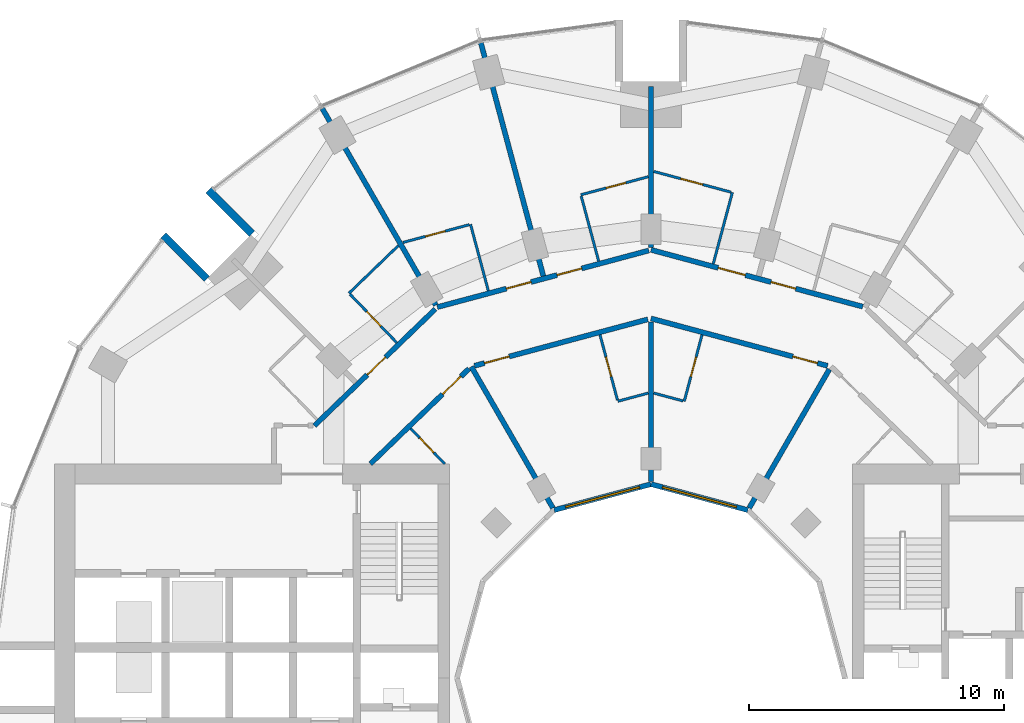
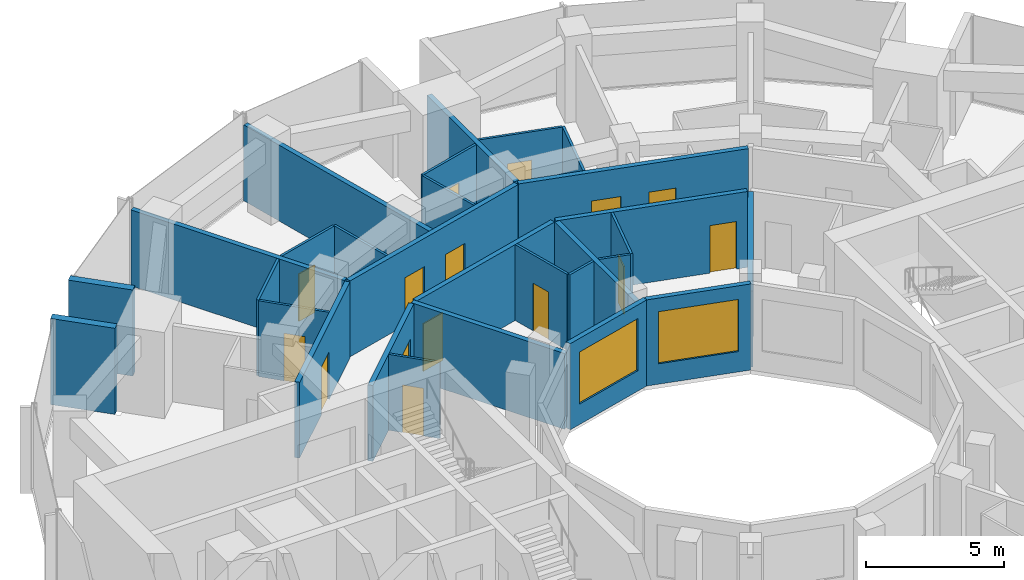
# One storey, part 12 of 15: 29 walls, 15 doors, 2 windows, 17 openings.
"""IFC4 building model written with IfcOpenShell, lengths in metres."""

from ifc_helpers import new_model, si_unit, direction, frame, frame_2d, origin, place, context, subcontext, project, spatial, rectangle, extrude, material, layer, layer_set, type_object, element, fill, save


model = new_model("IFC4")

# Units and contexts
model_context = context("Model", 3, precision=1e-05, world=origin(), true_north=direction((0.0, 1.0)))
body_context = subcontext(model_context, "Body", "Model", "MODEL_VIEW")
ifc_project = project(units=[si_unit("LENGTHUNIT", "METRE"), si_unit("AREAUNIT", "SQUARE_METRE"), si_unit("VOLUMEUNIT", "CUBIC_METRE"), si_unit("PLANEANGLEUNIT", "RADIAN"), si_unit("MASSUNIT", "GRAM", prefix="KILO")], contexts=[model_context])

# Site, building, storey
site_placement = place(None, origin())
site = spatial("IfcSite", under=ifc_project, at=site_placement, CompositionType="ELEMENT")
building_placement = place(site_placement, origin())
building = spatial("IfcBuilding", under=site, at=building_placement, Name="Torre Brocal", CompositionType="ELEMENT")
storey_placement = place(building_placement, frame((0.0, 0.0, 32.60009765625)))
storey = spatial("IfcBuildingStorey", under=building, at=storey_placement, Name="L06", CompositionType="ELEMENT", Elevation=32.60009765625)

# Walls
ifc_material_1 = material(Name="Concrete C80", Category="concrete")
ifc_layer_1 = layer(ifc_material_1, 0.300048828125)
ifc_layer_set_1 = layer_set([ifc_layer_1], Name="Concrete C80")
wall_type_1 = type_object("IfcWallType", Name="NOTCH RETURN WALL 300 C80", PredefinedType="NOTDEFINED", material=ifc_layer_set_1)
for number, where, z_axis, x_axis, name in (
    (1, (64.337646484375, 92.43017578125, 0.0), (0.0, 0.0, 1.0), (-0.707106781187, 0.707106781187, 0.0), "NOTCH RETURN WALL"),
    (2, (62.56982421875, 90.662353515625, 0.0), (0.0, 0.0, 1.0), (-0.707106781187, 0.707106781187, 0.0), "NOTCH RETURN WALL"),
):
    element("IfcWall", number, at=place(storey_placement, frame(where, z_axis=z_axis, x_axis=x_axis)), inside=storey, type_object=wall_type_1, Name=name, PredefinedType="NOTDEFINED", context=body_context, shape_type="SweptSolid", body=[
        extrude(rectangle(XDim=2.415771484375, YDim=0.300048828125, at=frame_2d((1.2080078125, 0.0))), origin(), (0.0, 0.0, 1.0), 3.7998046875),
    ])

# Wall, opening, door
ifc_material_2 = material(Name="Gypsum board", Category="Gypsum")
ifc_layer_2 = layer(ifc_material_2, 0.10009765625)
ifc_layer_set_2 = layer_set([ifc_layer_2], Name="Gypsum board")
wall_type_2 = type_object("IfcWallType", Name="PARTITION 100", PredefinedType="PARTITIONING", material=ifc_layer_set_2)
wall_1_placement = place(storey_placement, frame((68.184814453125, 90.06005859375, 0.0), z_axis=(0.0, 0.0, 1.0), x_axis=(0.69446127412, -0.719530081892, 0.0)))
wall_1 = element("IfcWall", 3, at=wall_1_placement, inside=storey, type_object=wall_type_2, Name="BATHROOM WALL", PredefinedType="PARTITIONING", context=body_context, shape_type="SweptSolid", body=[
    extrude(rectangle(XDim=2.64892578125, YDim=0.10009765625, at=frame_2d((1.324462890625, 0.0))), origin(), (0.0, 0.0, 1.0), 3.349853515625),
])
opening_1_placement = place(wall_1_placement, frame((0.94970703125, 0.0, 0.0)))
opening_1 = element("IfcOpeningElement", 4, at=opening_1_placement, cuts=wall_1, Name="Opening H01-D15", PredefinedType="OPENING", context=body_context, shape_type="SweptSolid", body=[
    extrude(rectangle(XDim=0.800048828125, YDim=2.10009765625, at=frame_2d((0.39990234375, 1.050048828125))), frame((0.0, 0.06005859375, 0.0), z_axis=(0.0, -1.0, 0.0), x_axis=(1.0, 0.0, 0.0)), (0.0, 0.0, 1.0), 0.1201171875),
])
ifc_material_3 = material(Name="Timber", Category="wood")
door_type_1 = type_object("IfcDoorType", Name="BATHROOM DOOR 800X2100", OperationType="SINGLE_SWING_LEFT", PredefinedType="DOOR", material=ifc_material_3)
door_1_placement = place(opening_1_placement, origin())
door_1 = element("IfcDoor", 5, at=door_1_placement, inside=storey, type_object=door_type_1, Name="H01-D15", OperationType="SINGLE_SWING_RIGHT", OverallHeight=2.10009765625, OverallWidth=0.800048828125, PredefinedType="DOOR", context=body_context, shape_type="SweptSolid", body=[
    extrude(rectangle(XDim=0.800048828125, YDim=2.10009765625, at=frame_2d((0.39990234375, 1.050048828125))), frame((0.0, 0.02490234375, 0.0), z_axis=(0.0, -1.0, 0.0), x_axis=(1.0, 0.0, 0.0)), (0.0, 0.0, 1.0), 0.050048828125),
])
fill(opening_1, door_1)

# Wall
wall_2_placement = place(storey_placement, frame((68.14990234375, 90.09619140625, 0.0), z_axis=(0.0, 0.0, 1.0), x_axis=(0.719669144226, 0.694317163009, 0.0)))
element("IfcWall", 6, at=wall_2_placement, inside=storey, type_object=wall_type_2, Name="BATHROOM WALL", PredefinedType="PARTITIONING", context=body_context, shape_type="SweptSolid", body=[
    extrude(rectangle(XDim=2.686767578125, YDim=0.10009765625, at=frame_2d((1.34326171875, 0.0))), origin(), (0.0, 0.0, 1.0), 3.349853515625),
])

# Wall, opening, door
wall_3_placement = place(storey_placement, frame((70.26806640625, 92.087158203125, 0.0), z_axis=(0.0, 0.0, 1.0), x_axis=(0.965931867509, 0.258796497911, 0.0)))
wall_3 = element("IfcWall", 7, at=wall_3_placement, inside=storey, type_object=wall_type_2, Name="BATHROOM WALL", PredefinedType="PARTITIONING", context=body_context, shape_type="SweptSolid", body=[
    extrude(rectangle(XDim=2.693359375, YDim=0.10009765625, at=frame_2d((1.3466796875, 0.0))), origin(), (0.0, 0.0, 1.0), 3.349853515625),
])
opening_2_placement = place(wall_3_placement, frame((0.91162109375, 0.0, 0.0)))
opening_2 = element("IfcOpeningElement", 8, at=opening_2_placement, cuts=wall_3, Name="Opening H01-D13", PredefinedType="OPENING", context=body_context, shape_type="SweptSolid", body=[
    extrude(rectangle(XDim=0.800048828125, YDim=2.10009765625, at=frame_2d((0.39990234375, 1.050048828125))), frame((0.0, 0.06005859375, 0.0), z_axis=(0.0, -1.0, 0.0), x_axis=(1.0, 0.0, 0.0)), (0.0, 0.0, 1.0), 0.1201171875),
])
door_2_placement = place(opening_2_placement, frame((0.800048828125, 0.0, 0.0), z_axis=(0.0, 0.0, 1.0), x_axis=(-1.0, 0.0, 0.0)))
door_2 = element("IfcDoor", 9, at=door_2_placement, inside=storey, type_object=door_type_1, Name="H01-D13", OperationType="SINGLE_SWING_RIGHT", OverallHeight=2.10009765625, OverallWidth=0.800048828125, PredefinedType="DOOR", context=body_context, shape_type="SweptSolid", body=[
    extrude(rectangle(XDim=0.800048828125, YDim=2.10009765625, at=frame_2d((0.39990234375, 1.050048828125))), frame((0.0, 0.02490234375, 0.0), z_axis=(0.0, -1.0, 0.0), x_axis=(1.0, 0.0, 0.0)), (0.0, 0.0, 1.0), 0.050048828125),
])
fill(opening_2, door_2)

wall_4_placement = place(storey_placement, frame((70.5673828125, 84.785888671875, 0.0), z_axis=(0.0, 0.0, 1.0), x_axis=(0.694447472534, -0.719543402368, 0.0)))
wall_4 = element("IfcWall", 10, at=wall_4_placement, inside=storey, type_object=wall_type_2, Name="BATHROOM WALL", PredefinedType="PARTITIONING", context=body_context, shape_type="SweptSolid", body=[
    extrude(rectangle(XDim=1.92626953125, YDim=0.10009765625, at=frame_2d((0.963134765625, 0.0))), origin(), (0.0, 0.0, 1.0), 3.349853515625),
])
opening_3_placement = place(wall_4_placement, frame((0.51318359375, 0.0, 0.0)))
opening_3 = element("IfcOpeningElement", 11, at=opening_3_placement, cuts=wall_4, Name="Opening H01-D25", PredefinedType="OPENING", context=body_context, shape_type="SweptSolid", body=[
    extrude(rectangle(XDim=0.800048828125, YDim=2.10009765625, at=frame_2d((0.39990234375, 1.050048828125))), frame((0.0, 0.06005859375, 0.0), z_axis=(0.0, -1.0, 0.0), x_axis=(1.0, 0.0, 0.0)), (0.0, 0.0, 1.0), 0.1201171875),
])
door_3_placement = place(opening_3_placement, frame((0.800048828125, 0.0, 0.0), z_axis=(0.0, 0.0, 1.0), x_axis=(-1.0, 0.0, 0.0)))
door_3 = element("IfcDoor", 12, at=door_3_placement, inside=storey, type_object=door_type_1, Name="H01-D25", OperationType="SINGLE_SWING_RIGHT", OverallHeight=2.10009765625, OverallWidth=0.800048828125, PredefinedType="DOOR", context=body_context, shape_type="SweptSolid", body=[
    extrude(rectangle(XDim=0.800048828125, YDim=2.10009765625, at=frame_2d((0.39990234375, 1.050048828125))), frame((0.0, 0.02490234375, 0.0), z_axis=(0.0, -1.0, 0.0), x_axis=(1.0, 0.0, 0.0)), (0.0, 0.0, 1.0), 0.050048828125),
])
fill(opening_3, door_3)

# Walls
wall_5_placement = place(storey_placement, frame((72.91796875, 92.797119140625, 0.0), z_axis=(0.0, 0.0, 1.0), x_axis=(0.25867580527, -0.965964195904, 0.0)))
element("IfcWall", 13, at=wall_5_placement, inside=storey, type_object=wall_type_2, Name="BATHROOM WALL", PredefinedType="PARTITIONING", context=body_context, shape_type="SweptSolid", body=[
    extrude(rectangle(XDim=2.69921875, YDim=0.10009765625, at=frame_2d((1.349609375, 0.0))), origin(), (0.0, 0.0, 1.0), 3.349853515625),
])
wall_6_placement = place(storey_placement, frame((77.260009765625, 93.90869140625, 0.0), z_axis=(0.0, 0.0, 1.0), x_axis=(0.258935674139, -0.965894568086, 0.0)))
element("IfcWall", 14, at=wall_6_placement, inside=storey, type_object=wall_type_2, Name="BATHROOM WALL", PredefinedType="PARTITIONING", context=body_context, shape_type="SweptSolid", body=[
    extrude(rectangle(XDim=2.6494140625, YDim=0.10009765625, at=frame_2d((1.32470703125, 0.0))), origin(), (0.0, 0.0, 1.0), 3.349853515625),
])

# Wall, opening, door
wall_7_placement = place(storey_placement, frame((77.2470703125, 93.956787109375, 0.0), z_axis=(0.0, 0.0, 1.0), x_axis=(0.965922199757, 0.258832579125, 0.0)))
wall_7 = element("IfcWall", 15, at=wall_7_placement, inside=storey, type_object=wall_type_2, Name="BATHROOM WALL", PredefinedType="PARTITIONING", context=body_context, shape_type="SweptSolid", body=[
    extrude(rectangle(XDim=2.739990234375, YDim=0.10009765625, at=frame_2d((1.3701171875, 0.0))), origin(), (0.0, 0.0, 1.0), 3.349853515625),
])
opening_4_placement = place(wall_7_placement, frame((1.025146484375, 0.0, 0.0)))
opening_4 = element("IfcOpeningElement", 16, at=opening_4_placement, cuts=wall_7, Name="Opening H01-D11", PredefinedType="OPENING", context=body_context, shape_type="SweptSolid", body=[
    extrude(rectangle(XDim=0.800048828125, YDim=2.10009765625, at=frame_2d((0.39990234375, 1.050048828125))), frame((0.0, 0.06005859375, 0.0), z_axis=(0.0, -1.0, 0.0), x_axis=(1.0, 0.0, 0.0)), (0.0, 0.0, 1.0), 0.1201171875),
])
door_4_placement = place(opening_4_placement, frame((0.800048828125, 0.0, 0.0), z_axis=(0.0, 0.0, 1.0), x_axis=(-1.0, 0.0, 0.0)))
door_4 = element("IfcDoor", 17, at=door_4_placement, inside=storey, type_object=door_type_1, Name="H01-D11", OperationType="SINGLE_SWING_LEFT", OverallHeight=2.10009765625, OverallWidth=0.800048828125, PredefinedType="DOOR", context=body_context, shape_type="SweptSolid", body=[
    extrude(rectangle(XDim=0.800048828125, YDim=2.10009765625, at=frame_2d((0.39990234375, 1.050048828125))), frame((0.0, 0.02490234375, 0.0), z_axis=(0.0, -1.0, 0.0), x_axis=(1.0, 0.0, 0.0)), (0.0, 0.0, 1.0), 0.050048828125),
])
fill(opening_4, door_4)

wall_8_placement = place(storey_placement, frame((77.997802734375, 88.46337890625, 0.0), z_axis=(0.0, 0.0, 1.0), x_axis=(0.258677737588, -0.965963678446, 0.0)))
wall_8 = element("IfcWall", 18, at=wall_8_placement, inside=storey, type_object=wall_type_2, Name="BATHROOM WALL", PredefinedType="PARTITIONING", context=body_context, shape_type="SweptSolid", body=[
    extrude(rectangle(XDim=2.649169921875, YDim=0.10009765625, at=frame_2d((1.32470703125, 0.0))), origin(), (0.0, 0.0, 1.0), 3.349853515625),
])
opening_5_placement = place(wall_8_placement, frame((0.899658203125, 0.0, 0.0)))
opening_5 = element("IfcOpeningElement", 19, at=opening_5_placement, cuts=wall_8, Name="Opening H01-D23", PredefinedType="OPENING", context=body_context, shape_type="SweptSolid", body=[
    extrude(rectangle(XDim=0.800048828125, YDim=2.10009765625, at=frame_2d((0.39990234375, 1.050048828125))), frame((0.0, 0.06005859375, 0.0), z_axis=(0.0, -1.0, 0.0), x_axis=(1.0, 0.0, 0.0)), (0.0, 0.0, 1.0), 0.1201171875),
])
door_5_placement = place(opening_5_placement, origin())
door_5 = element("IfcDoor", 20, at=door_5_placement, inside=storey, type_object=door_type_1, Name="H01-D23", OperationType="SINGLE_SWING_LEFT", OverallHeight=2.10009765625, OverallWidth=0.800048828125, PredefinedType="DOOR", context=body_context, shape_type="SweptSolid", body=[
    extrude(rectangle(XDim=0.800048828125, YDim=2.10009765625, at=frame_2d((0.39990234375, 1.050048828125))), frame((0.0, 0.02490234375, 0.0), z_axis=(0.0, -1.0, 0.0), x_axis=(1.0, 0.0, 0.0)), (0.0, 0.0, 1.0), 0.050048828125),
])
fill(opening_5, door_5)

# Walls
wall_9_placement = place(storey_placement, frame((78.696044921875, 85.85595703125, 0.0), z_axis=(0.0, 0.0, 1.0), x_axis=(0.966002513606, 0.258532674351, 0.0)))
element("IfcWall", 21, at=wall_9_placement, inside=storey, type_object=wall_type_2, Name="BATHROOM WALL", PredefinedType="PARTITIONING", context=body_context, shape_type="SweptSolid", body=[
    extrude(rectangle(XDim=1.239990234375, YDim=0.10009765625, at=frame_2d((0.6201171875, 0.0))), origin(), (0.0, 0.0, 1.0), 3.349853515625),
])
wall_10_placement = place(storey_placement, frame((80.106201171875, 86.176513671875, 0.0), z_axis=(0.0, 0.0, 1.0), x_axis=(0.966002973184, -0.258530957139, 0.0)))
element("IfcWall", 22, at=wall_10_placement, inside=storey, type_object=wall_type_2, Name="BATHROOM WALL", PredefinedType="PARTITIONING", context=body_context, shape_type="SweptSolid", body=[
    extrude(rectangle(XDim=1.18994140625, YDim=0.10009765625, at=frame_2d((0.594970703125, 0.0))), origin(), (0.0, 0.0, 1.0), 3.349853515625),
])

# Wall, opening, door
wall_11_placement = place(storey_placement, frame((80.106201171875, 94.87353515625, 0.0), z_axis=(0.0, 0.0, 1.0), x_axis=(0.965915808883, -0.258856427676, 0.0)))
wall_11 = element("IfcWall", 23, at=wall_11_placement, inside=storey, type_object=wall_type_2, Name="BATHROOM WALL", PredefinedType="PARTITIONING", context=body_context, shape_type="SweptSolid", body=[
    extrude(rectangle(XDim=3.1435546875, YDim=0.10009765625, at=frame_2d((1.57177734375, 0.0))), origin(), (0.0, 0.0, 1.0), 3.349853515625),
])
opening_6_placement = place(wall_11_placement, frame((1.091796875, 0.0, 0.0)))
opening_6 = element("IfcOpeningElement", 24, at=opening_6_placement, cuts=wall_11, Name="Opening H01-D09", PredefinedType="OPENING", context=body_context, shape_type="SweptSolid", body=[
    extrude(rectangle(XDim=0.89990234375, YDim=2.10009765625, at=frame_2d((0.449951171875, 1.050048828125))), frame((0.0, 0.06005859375, 0.0), z_axis=(0.0, -1.0, 0.0), x_axis=(1.0, 0.0, 0.0)), (0.0, 0.0, 1.0), 0.1201171875),
])
ifc_material_4 = material(Name="Timber", Category="wood")
door_type_2 = type_object("IfcDoorType", Name="ACCESSIBLE BATHROOM DOOR 900X2100", OperationType="SINGLE_SWING_LEFT", PredefinedType="DOOR", material=ifc_material_4)
door_6_placement = place(opening_6_placement, frame((0.89990234375, 0.0, 0.0), z_axis=(0.0, 0.0, 1.0), x_axis=(-1.0, 0.0, 0.0)))
door_6 = element("IfcDoor", 25, at=door_6_placement, inside=storey, type_object=door_type_2, Name="H01-D09", OperationType="SINGLE_SWING_RIGHT", OverallHeight=2.10009765625, OverallWidth=0.89990234375, PredefinedType="DOOR", context=body_context, shape_type="SweptSolid", body=[
    extrude(rectangle(XDim=0.89990234375, YDim=2.10009765625, at=frame_2d((0.449951171875, 1.050048828125))), frame((0.0, 0.02490234375, 0.0), z_axis=(0.0, -1.0, 0.0), x_axis=(1.0, 0.0, 0.0)), (0.0, 0.0, 1.0), 0.050048828125),
])
fill(opening_6, door_6)

wall_12_placement = place(storey_placement, frame((81.303955078125, 85.85595703125, 0.0), z_axis=(0.0, 0.0, 1.0), x_axis=(0.25867580527, 0.965964195904, 0.0)))
wall_12 = element("IfcWall", 26, at=wall_12_placement, inside=storey, type_object=wall_type_2, Name="BATHROOM WALL", PredefinedType="PARTITIONING", context=body_context, shape_type="SweptSolid", body=[
    extrude(rectangle(XDim=2.69921875, YDim=0.10009765625, at=frame_2d((1.349609375, 0.0))), origin(), (0.0, 0.0, 1.0), 3.349853515625),
])
opening_7_placement = place(wall_12_placement, frame((0.99951171875, 0.0, 0.0)))
opening_7 = element("IfcOpeningElement", 27, at=opening_7_placement, cuts=wall_12, Name="Opening H01-D21", PredefinedType="OPENING", context=body_context, shape_type="SweptSolid", body=[
    extrude(rectangle(XDim=0.800048828125, YDim=2.10009765625, at=frame_2d((0.39990234375, 1.050048828125))), frame((0.0, 0.06005859375, 0.0), z_axis=(0.0, -1.0, 0.0), x_axis=(1.0, 0.0, 0.0)), (0.0, 0.0, 1.0), 0.1201171875),
])
door_7_placement = place(opening_7_placement, origin())
door_7 = element("IfcDoor", 28, at=door_7_placement, inside=storey, type_object=door_type_1, Name="H01-D21", OperationType="SINGLE_SWING_RIGHT", OverallHeight=2.10009765625, OverallWidth=0.800048828125, PredefinedType="DOOR", context=body_context, shape_type="SweptSolid", body=[
    extrude(rectangle(XDim=0.800048828125, YDim=2.10009765625, at=frame_2d((0.39990234375, 1.050048828125))), frame((0.0, 0.02490234375, 0.0), z_axis=(0.0, -1.0, 0.0), x_axis=(1.0, 0.0, 0.0)), (0.0, 0.0, 1.0), 0.050048828125),
])
fill(opening_7, door_7)

# Wall
wall_13_placement = place(storey_placement, frame((82.44091796875, 91.24560546875, 0.0), z_axis=(0.0, 0.0, 1.0), x_axis=(0.258605640326, 0.965982982662, 0.0)))
element("IfcWall", 29, at=wall_13_placement, inside=storey, type_object=wall_type_2, Name="BATHROOM WALL", PredefinedType="PARTITIONING", context=body_context, shape_type="SweptSolid", body=[
    extrude(rectangle(XDim=2.900146484375, YDim=0.10009765625, at=frame_2d((1.4501953125, 0.0))), origin(), (0.0, 0.0, 1.0), 3.349853515625),
])

# Wall, opening, door
ifc_material_5 = material(Name="Gypsum board", Category="Gypsum")
ifc_layer_3 = layer(ifc_material_5, 0.199951171875)
ifc_layer_set_3 = layer_set([ifc_layer_3], Name="Gypsum board")
wall_type_3 = type_object("IfcWallType", Name="PARTITION 200 EI60", PredefinedType="PARTITIONING", material=ifc_layer_set_3)
wall_14_placement = place(storey_placement, frame((66.7958984375, 84.89990234375, 0.0), z_axis=(0.0, 0.0, 1.0), x_axis=(0.719690131178, 0.694295409092, 0.0)))
wall_14 = element("IfcWall", 30, at=wall_14_placement, inside=storey, type_object=wall_type_3, Name="GUESTROOM CORRIDOR WALL", PredefinedType="PARTITIONING", context=body_context, shape_type="SweptSolid", body=[
    extrude(rectangle(XDim=6.58544921875, YDim=0.199951171875, at=frame_2d((3.292724609375, 0.0))), origin(), (0.0, 0.0, 1.0), 3.349853515625),
])
opening_8_placement = place(wall_14_placement, frame((2.866943359375, 0.0, 0.0)))
opening_8 = element("IfcOpeningElement", 31, at=opening_8_placement, cuts=wall_14, Name="Opening H01-D14", PredefinedType="OPENING", context=body_context, shape_type="SweptSolid", body=[
    extrude(rectangle(XDim=1.0, YDim=2.10009765625, at=frame_2d((0.5, 1.050048828125))), frame((0.0, 0.10986328125, 0.0), z_axis=(0.0, -1.0, 0.0), x_axis=(1.0, 0.0, 0.0)), (0.0, 0.0, 1.0), 0.219970703125),
])
ifc_material_6 = material(Name="Timber", Category="wood")
door_type_3 = type_object("IfcDoorType", Name="FLAT ENTRY DOOR FD30S 1000X2100", OperationType="SINGLE_SWING_RIGHT", PredefinedType="DOOR", material=ifc_material_6)
door_8_placement = place(opening_8_placement, origin())
door_8 = element("IfcDoor", 32, at=door_8_placement, inside=storey, type_object=door_type_3, Name="H01-D14", OperationType="SINGLE_SWING_LEFT", OverallHeight=2.10009765625, OverallWidth=1.0, PredefinedType="DOOR", context=body_context, shape_type="SweptSolid", body=[
    extrude(rectangle(XDim=1.0, YDim=2.10009765625, at=frame_2d((0.5, 1.050048828125))), frame((0.0, 0.02490234375, 0.0), z_axis=(0.0, -1.0, 0.0), x_axis=(1.0, 0.0, 0.0)), (0.0, 0.0, 1.0), 0.050048828125),
])
fill(opening_8, door_8)

# Wall
wall_15_placement = place(storey_placement, frame((67.10205078125, 97.341796875, 0.0), z_axis=(0.0, 0.0, 1.0), x_axis=(0.499944680089, -0.866057340394, 0.0)))
element("IfcWall", 33, at=wall_15_placement, inside=storey, type_object=wall_type_3, Name="BATHROOM WALL", PredefinedType="PARTITIONING", context=body_context, shape_type="SweptSolid", body=[
    extrude(rectangle(XDim=8.90771484375, YDim=0.199951171875, at=frame_2d((4.453857421875, 0.0))), origin(), (0.0, 0.0, 1.0), 3.349853515625),
])

# Wall, opening, door
wall_16_placement = place(storey_placement, frame((68.987060546875, 83.39990234375, 0.0), z_axis=(0.0, 0.0, 1.0), x_axis=(0.719591503389, 0.694397629784, 0.0)))
wall_16 = element("IfcWall", 34, at=wall_16_placement, inside=storey, type_object=wall_type_3, Name="GUESTROOM CORRIDOR WALL", PredefinedType="PARTITIONING", context=body_context, shape_type="SweptSolid", body=[
    extrude(rectangle(XDim=5.378173828125, YDim=0.199951171875, at=frame_2d((2.68896484375, 0.0))), origin(), (0.0, 0.0, 1.0), 3.349853515625),
])
opening_9_placement = place(wall_16_placement, frame((3.93798828125, 0.0, 0.0)))
opening_9 = element("IfcOpeningElement", 35, at=opening_9_placement, cuts=wall_16, Name="Opening H01-D24", PredefinedType="OPENING", context=body_context, shape_type="SweptSolid", body=[
    extrude(rectangle(XDim=1.0, YDim=2.10009765625, at=frame_2d((0.5, 1.050048828125))), frame((0.0, 0.10986328125, 0.0), z_axis=(0.0, -1.0, 0.0), x_axis=(1.0, 0.0, 0.0)), (0.0, 0.0, 1.0), 0.219970703125),
])
door_9_placement = place(opening_9_placement, frame((1.0, 0.0, 0.0), z_axis=(0.0, 0.0, 1.0), x_axis=(-1.0, 0.0, 0.0)))
door_9 = element("IfcDoor", 36, at=door_9_placement, inside=storey, type_object=door_type_3, Name="H01-D24", OperationType="SINGLE_SWING_LEFT", OverallHeight=2.10009765625, OverallWidth=1.0, PredefinedType="DOOR", context=body_context, shape_type="SweptSolid", body=[
    extrude(rectangle(XDim=1.0, YDim=2.10009765625, at=frame_2d((0.5, 1.050048828125))), frame((0.0, 0.02490234375, 0.0), z_axis=(0.0, -1.0, 0.0), x_axis=(1.0, 0.0, 0.0)), (0.0, 0.0, 1.0), 0.050048828125),
])
fill(opening_9, door_9)

# Wall, openings, doors
wall_17_placement = place(storey_placement, frame((71.61376953125, 89.5498046875, 0.0), z_axis=(0.0, 0.0, 1.0), x_axis=(0.965982156828, 0.258608725086, 0.0)))
wall_17 = element("IfcWall", 37, at=wall_17_placement, inside=storey, type_object=wall_type_3, Name="GUESTROOM CORRIDOR WALL", PredefinedType="PARTITIONING", context=body_context, shape_type="SweptSolid", body=[
    extrude(rectangle(XDim=8.591796875, YDim=0.199951171875, at=frame_2d((4.2958984375, 0.0))), origin(), (0.0, 0.0, 1.0), 3.349853515625),
])
opening_10_placement = place(wall_17_placement, frame((4.864990234375, 0.0, 0.0)))
opening_10 = element("IfcOpeningElement", 38, at=opening_10_placement, cuts=wall_17, Name="Opening H01-D10", PredefinedType="OPENING", context=body_context, shape_type="SweptSolid", body=[
    extrude(rectangle(XDim=1.0, YDim=2.10009765625, at=frame_2d((0.5, 1.050048828125))), frame((0.0, 0.10986328125, 0.0), z_axis=(0.0, -1.0, 0.0), x_axis=(1.0, 0.0, 0.0)), (0.0, 0.0, 1.0), 0.219970703125),
])
opening_11_placement = place(wall_17_placement, frame((2.804443359375, 0.0, 0.0)))
opening_11 = element("IfcOpeningElement", 39, at=opening_11_placement, cuts=wall_17, Name="Opening H01-D12", PredefinedType="OPENING", context=body_context, shape_type="SweptSolid", body=[
    extrude(rectangle(XDim=1.0, YDim=2.10009765625, at=frame_2d((0.5, 1.050048828125))), frame((0.0, 0.10986328125, 0.0), z_axis=(0.0, -1.0, 0.0), x_axis=(1.0, 0.0, 0.0)), (0.0, 0.0, 1.0), 0.219970703125),
])
door_10_placement = place(opening_10_placement, origin())
door_10 = element("IfcDoor", 40, at=door_10_placement, inside=storey, type_object=door_type_3, Name="H01-D10", OperationType="SINGLE_SWING_LEFT", OverallHeight=2.10009765625, OverallWidth=1.0, PredefinedType="DOOR", context=body_context, shape_type="SweptSolid", body=[
    extrude(rectangle(XDim=1.0, YDim=2.10009765625, at=frame_2d((0.5, 1.050048828125))), frame((0.0, 0.02490234375, 0.0), z_axis=(0.0, -1.0, 0.0), x_axis=(1.0, 0.0, 0.0)), (0.0, 0.0, 1.0), 0.050048828125),
])
fill(opening_10, door_10)
door_11_placement = place(opening_11_placement, origin())
door_11 = element("IfcDoor", 41, at=door_11_placement, inside=storey, type_object=door_type_3, Name="H01-D12", OperationType="SINGLE_SWING_RIGHT", OverallHeight=2.10009765625, OverallWidth=1.0, PredefinedType="DOOR", context=body_context, shape_type="SweptSolid", body=[
    extrude(rectangle(XDim=1.0, YDim=2.10009765625, at=frame_2d((0.5, 1.050048828125))), frame((0.0, 0.02490234375, 0.0), z_axis=(0.0, -1.0, 0.0), x_axis=(1.0, 0.0, 0.0)), (0.0, 0.0, 1.0), 0.050048828125),
])
fill(opening_11, door_11)

# Wall, opening, door
wall_18_placement = place(storey_placement, frame((73.0712890625, 87.2470703125, 0.0), z_axis=(0.0, 0.0, 1.0), x_axis=(0.965931651205, 0.258797305243, 0.0)))
wall_18 = element("IfcWall", 42, at=wall_18_placement, inside=storey, type_object=wall_type_3, Name="GUESTROOM CORRIDOR WALL", PredefinedType="PARTITIONING", context=body_context, shape_type="SweptSolid", body=[
    extrude(rectangle(XDim=7.043212890625, YDim=0.199951171875, at=frame_2d((3.521484375, 0.0))), origin(), (0.0, 0.0, 1.0), 3.349853515625),
])
opening_12_placement = place(wall_18_placement, frame((0.409912109375, 0.0, 0.0)))
opening_12 = element("IfcOpeningElement", 43, at=opening_12_placement, cuts=wall_18, Name="Opening H01-D22", PredefinedType="OPENING", context=body_context, shape_type="SweptSolid", body=[
    extrude(rectangle(XDim=1.0, YDim=2.10009765625, at=frame_2d((0.5, 1.050048828125))), frame((0.0, 0.10986328125, 0.0), z_axis=(0.0, -1.0, 0.0), x_axis=(1.0, 0.0, 0.0)), (0.0, 0.0, 1.0), 0.219970703125),
])
door_12_placement = place(opening_12_placement, frame((1.0, 0.0, 0.0), z_axis=(0.0, 0.0, 1.0), x_axis=(-1.0, 0.0, 0.0)))
door_12 = element("IfcDoor", 44, at=door_12_placement, inside=storey, type_object=door_type_3, Name="H01-D22", OperationType="SINGLE_SWING_RIGHT", OverallHeight=2.10009765625, OverallWidth=1.0, PredefinedType="DOOR", context=body_context, shape_type="SweptSolid", body=[
    extrude(rectangle(XDim=1.0, YDim=2.10009765625, at=frame_2d((0.5, 1.050048828125))), frame((0.0, 0.02490234375, 0.0), z_axis=(0.0, -1.0, 0.0), x_axis=(1.0, 0.0, 0.0)), (0.0, 0.0, 1.0), 0.050048828125),
])
fill(opening_12, door_12)

# Walls
wall_19_placement = place(storey_placement, frame((72.948486328125, 87.214111328125, 0.0), z_axis=(0.0, 0.0, 1.0), x_axis=(0.499943524694, -0.866058007363, 0.0)))
element("IfcWall", 45, at=wall_19_placement, inside=storey, type_object=wall_type_3, Name="PARTY PARTITION", PredefinedType="PARTITIONING", context=body_context, shape_type="SweptSolid", body=[
    extrude(rectangle(XDim=6.405029296875, YDim=0.199951171875, at=frame_2d((3.20263671875, 0.0))), origin(), (0.0, 0.0, 1.0), 3.349853515625),
])
wall_20_placement = place(storey_placement, frame((73.322998046875, 99.919189453125, 0.0), z_axis=(0.0, 0.0, 1.0), x_axis=(0.258817230439, -0.965926312525, 0.0)))
element("IfcWall", 46, at=wall_20_placement, inside=storey, type_object=wall_type_3, Name="PARTY PARTITION", PredefinedType="PARTITIONING", context=body_context, shape_type="SweptSolid", body=[
    extrude(rectangle(XDim=9.474365234375, YDim=0.199951171875, at=frame_2d((4.7373046875, 0.0))), origin(), (0.0, 0.0, 1.0), 3.349853515625),
])
wall_21_placement = place(storey_placement, frame((80.0, 82.698974609375, 0.0), z_axis=(0.0, 0.0, 1.0), x_axis=(0.0, 1.0, 0.0)))
element("IfcWall", 47, at=wall_21_placement, inside=storey, type_object=wall_type_3, Name="BATHROOM WALL", PredefinedType="PARTITIONING", context=body_context, shape_type="SweptSolid", body=[
    extrude(rectangle(XDim=6.275146484375, YDim=0.199951171875, at=frame_2d((3.1376953125, 0.0))), origin(), (0.0, 0.0, 1.0), 3.349853515625),
])

# Wall, opening, door
wall_22_placement = place(storey_placement, frame((80.0, 89.10400390625, 0.0), z_axis=(0.0, 0.0, 1.0), x_axis=(0.965856548257, -0.259077455964, 0.0)))
wall_22 = element("IfcWall", 48, at=wall_22_placement, inside=storey, type_object=wall_type_3, Name="GUESTROOM CORRIDOR WALL", PredefinedType="PARTITIONING", context=body_context, shape_type="SweptSolid", body=[
    extrude(rectangle(XDim=7.173095703125, YDim=0.199951171875, at=frame_2d((3.58642578125, 0.0))), origin(), (0.0, 0.0, 1.0), 3.349853515625),
])
opening_13_placement = place(wall_22_placement, frame((5.76318359375, 0.0, 0.0)))
opening_13 = element("IfcOpeningElement", 49, at=opening_13_placement, cuts=wall_22, Name="Opening H01-D20", PredefinedType="OPENING", context=body_context, shape_type="SweptSolid", body=[
    extrude(rectangle(XDim=1.0, YDim=2.10009765625, at=frame_2d((0.5, 1.050048828125))), frame((0.0, 0.10986328125, 0.0), z_axis=(0.0, -1.0, 0.0), x_axis=(1.0, 0.0, 0.0)), (0.0, 0.0, 1.0), 0.219970703125),
])
door_13_placement = place(opening_13_placement, frame((1.0, 0.0, 0.0), z_axis=(0.0, 0.0, 1.0), x_axis=(-1.0, 0.0, 0.0)))
door_13 = element("IfcDoor", 50, at=door_13_placement, inside=storey, type_object=door_type_3, Name="H01-D20", OperationType="SINGLE_SWING_LEFT", OverallHeight=2.10009765625, OverallWidth=1.0, PredefinedType="DOOR", context=body_context, shape_type="SweptSolid", body=[
    extrude(rectangle(XDim=1.0, YDim=2.10009765625, at=frame_2d((0.5, 1.050048828125))), frame((0.0, 0.02490234375, 0.0), z_axis=(0.0, -1.0, 0.0), x_axis=(1.0, 0.0, 0.0)), (0.0, 0.0, 1.0), 0.050048828125),
])
fill(opening_13, door_13)

# Wall
wall_23_placement = place(storey_placement, frame((80.0, 91.89599609375, 0.0), z_axis=(0.0, 0.0, 1.0), x_axis=(0.0, 1.0, 0.0)))
element("IfcWall", 51, at=wall_23_placement, inside=storey, type_object=wall_type_3, Name="BATHROOM WALL", PredefinedType="PARTITIONING", context=body_context, shape_type="SweptSolid", body=[
    extrude(rectangle(XDim=6.303955078125, YDim=0.199951171875, at=frame_2d((3.15185546875, 0.0))), origin(), (0.0, 0.0, 1.0), 3.349853515625),
])

# Wall, openings, doors
wall_24_placement = place(storey_placement, frame((80.000244140625, 91.796875, 0.0), z_axis=(0.0, 0.0, 1.0), x_axis=(0.965857042792, -0.259075612301, 0.0)))
wall_24 = element("IfcWall", 52, at=wall_24_placement, inside=storey, type_object=wall_type_3, Name="GUESTROOM CORRIDOR WALL", PredefinedType="PARTITIONING", context=body_context, shape_type="SweptSolid", body=[
    extrude(rectangle(XDim=8.601806640625, YDim=0.199951171875, at=frame_2d((4.30078125, 0.0))), origin(), (0.0, 0.0, 1.0), 3.349853515625),
])
opening_14_placement = place(wall_24_placement, frame((4.87744140625, 0.0, 0.0)))
opening_14 = element("IfcOpeningElement", 53, at=opening_14_placement, cuts=wall_24, Name="Opening H01-D06", PredefinedType="OPENING", context=body_context, shape_type="SweptSolid", body=[
    extrude(rectangle(XDim=1.0, YDim=2.10009765625, at=frame_2d((0.5, 1.050048828125))), frame((0.0, 0.10986328125, 0.0), z_axis=(0.0, -1.0, 0.0), x_axis=(1.0, 0.0, 0.0)), (0.0, 0.0, 1.0), 0.219970703125),
])
opening_15_placement = place(wall_24_placement, frame((2.73046875, 0.0, 0.0)))
opening_15 = element("IfcOpeningElement", 54, at=opening_15_placement, cuts=wall_24, Name="Opening H01-D08", PredefinedType="OPENING", context=body_context, shape_type="SweptSolid", body=[
    extrude(rectangle(XDim=1.10009765625, YDim=2.10009765625, at=frame_2d((0.550048828125, 1.050048828125))), frame((0.0, 0.10986328125, 0.0), z_axis=(0.0, -1.0, 0.0), x_axis=(1.0, 0.0, 0.0)), (0.0, 0.0, 1.0), 0.219970703125),
])
ifc_material_7 = material(Name="Timber", Category="wood")
door_type_4 = type_object("IfcDoorType", Name="ACCESSIBLE ENTRY DOOR FD30S 1100X2100", OperationType="SINGLE_SWING_RIGHT", PredefinedType="DOOR", material=ifc_material_7)
door_14_placement = place(opening_15_placement, origin())
door_14 = element("IfcDoor", 55, at=door_14_placement, inside=storey, type_object=door_type_4, Name="H01-D08", OperationType="SINGLE_SWING_LEFT", OverallHeight=2.10009765625, OverallWidth=1.10009765625, PredefinedType="DOOR", context=body_context, shape_type="SweptSolid", body=[
    extrude(rectangle(XDim=1.10009765625, YDim=2.10009765625, at=frame_2d((0.550048828125, 1.050048828125))), frame((0.0, 0.02490234375, 0.0), z_axis=(0.0, -1.0, 0.0), x_axis=(1.0, 0.0, 0.0)), (0.0, 0.0, 1.0), 0.050048828125),
])
fill(opening_15, door_14)
door_15_placement = place(opening_14_placement, origin())
door_15 = element("IfcDoor", 56, at=door_15_placement, inside=storey, type_object=door_type_3, Name="H01-D06", OperationType="SINGLE_SWING_LEFT", OverallHeight=2.10009765625, OverallWidth=1.0, PredefinedType="DOOR", context=body_context, shape_type="SweptSolid", body=[
    extrude(rectangle(XDim=1.0, YDim=2.10009765625, at=frame_2d((0.5, 1.050048828125))), frame((0.0, 0.02490234375, 0.0), z_axis=(0.0, -1.0, 0.0), x_axis=(1.0, 0.0, 0.0)), (0.0, 0.0, 1.0), 0.050048828125),
])
fill(opening_14, door_15)

# Wall
wall_25_placement = place(storey_placement, frame((83.851806640625, 81.665283203125, 0.0), z_axis=(0.0, 0.0, 1.0), x_axis=(0.500253653624, 0.865878907259, 0.0)))
element("IfcWall", 57, at=wall_25_placement, inside=storey, type_object=wall_type_3, Name="PARTY PARTITION", PredefinedType="PARTITIONING", context=body_context, shape_type="SweptSolid", body=[
    extrude(rectangle(XDim=6.285400390625, YDim=0.199951171875, at=frame_2d((3.142578125, 0.0))), origin(), (0.0, 0.0, 1.0), 3.349853515625),
])

# Wall, opening, window
ifc_material_8 = material(Name="Concrete C40", Category="concrete")
ifc_layer_4 = layer(ifc_material_8, 0.199951171875)
ifc_layer_set_4 = layer_set([ifc_layer_4], Name="Concrete C40")
wall_type_4 = type_object("IfcWallType", Name="WELL FACADE WALL 200", PredefinedType="NOTDEFINED", material=ifc_layer_set_4)
wall_26_placement = place(storey_placement, frame((83.8017578125, 81.5849609375, 0.0), z_axis=(0.0, 0.0, 1.0), x_axis=(-0.965933654434, 0.258789828301, 0.0)))
wall_26 = element("IfcWall", 58, at=wall_26_placement, inside=storey, type_object=wall_type_4, Name="WELL FACADE WALL", PredefinedType="NOTDEFINED", context=body_context, shape_type="SweptSolid", body=[
    extrude(rectangle(XDim=3.935791015625, YDim=0.199951171875, at=frame_2d((1.9677734375, 0.0))), origin(), (0.0, 0.0, 1.0), 3.7998046875),
])
opening_16_placement = place(wall_26_placement, frame((0.468017578125, 0.0, 0.89990234375)))
opening_16 = element("IfcOpeningElement", 59, at=opening_16_placement, cuts=wall_26, Name="Opening W1", PredefinedType="OPENING", context=body_context, shape_type="SweptSolid", body=[
    extrude(rectangle(XDim=3.0, YDim=2.300048828125, at=frame_2d((1.5, 1.14990234375))), frame((0.0, 0.10986328125, 0.0), z_axis=(0.0, -1.0, 0.0), x_axis=(1.0, 0.0, 0.0)), (0.0, 0.0, 1.0), 0.219970703125),
])
ifc_material_9 = material(Name="Aluminium and glass", Category="aluminium")
window_type = type_object("IfcWindowType", Name="WELL WINDOW 3000X2300", PartitioningType="SINGLE_PANEL", PredefinedType="WINDOW", material=ifc_material_9)
window_1_placement = place(opening_16_placement, origin())
window_1 = element("IfcWindow", 60, at=window_1_placement, inside=storey, type_object=window_type, Name="WELL WINDOW 3000X2300", OverallHeight=2.300048828125, OverallWidth=3.0, PartitioningType="SINGLE_PANEL", PredefinedType="WINDOW", context=body_context, shape_type="SweptSolid", body=[
    extrude(rectangle(XDim=3.0, YDim=2.300048828125, at=frame_2d((1.5, 1.14990234375))), frame((0.0, 0.030029296875, 0.0), z_axis=(0.0, -1.0, 0.0), x_axis=(1.0, 0.0, 0.0)), (0.0, 0.0, 1.0), 0.06005859375),
])
fill(opening_16, window_1)

wall_27_placement = place(storey_placement, frame((80.0, 82.603515625, 0.0), z_axis=(0.0, 0.0, 1.0), x_axis=(-0.965933654434, -0.258789828301, 0.0)))
wall_27 = element("IfcWall", 61, at=wall_27_placement, inside=storey, type_object=wall_type_4, Name="WELL FACADE WALL", PredefinedType="NOTDEFINED", context=body_context, shape_type="SweptSolid", body=[
    extrude(rectangle(XDim=3.935791015625, YDim=0.199951171875, at=frame_2d((1.9677734375, 0.0))), origin(), (0.0, 0.0, 1.0), 3.7998046875),
])
opening_17_placement = place(wall_27_placement, frame((0.468017578125, 0.0, 0.89990234375)))
opening_17 = element("IfcOpeningElement", 62, at=opening_17_placement, cuts=wall_27, Name="Opening W1", PredefinedType="OPENING", context=body_context, shape_type="SweptSolid", body=[
    extrude(rectangle(XDim=3.0, YDim=2.300048828125, at=frame_2d((1.5, 1.14990234375))), frame((0.0, 0.10986328125, 0.0), z_axis=(0.0, -1.0, 0.0), x_axis=(1.0, 0.0, 0.0)), (0.0, 0.0, 1.0), 0.219970703125),
])
window_2_placement = place(opening_17_placement, origin())
window_2 = element("IfcWindow", 63, at=window_2_placement, inside=storey, type_object=window_type, Name="WELL WINDOW 3000X2300", OverallHeight=2.300048828125, OverallWidth=3.0, PartitioningType="SINGLE_PANEL", PredefinedType="WINDOW", context=body_context, shape_type="SweptSolid", body=[
    extrude(rectangle(XDim=3.0, YDim=2.300048828125, at=frame_2d((1.5, 1.14990234375))), frame((0.0, 0.030029296875, 0.0), z_axis=(0.0, -1.0, 0.0), x_axis=(1.0, 0.0, 0.0)), (0.0, 0.0, 1.0), 0.06005859375),
])
fill(opening_17, window_2)

save(model, "model.ifc")
